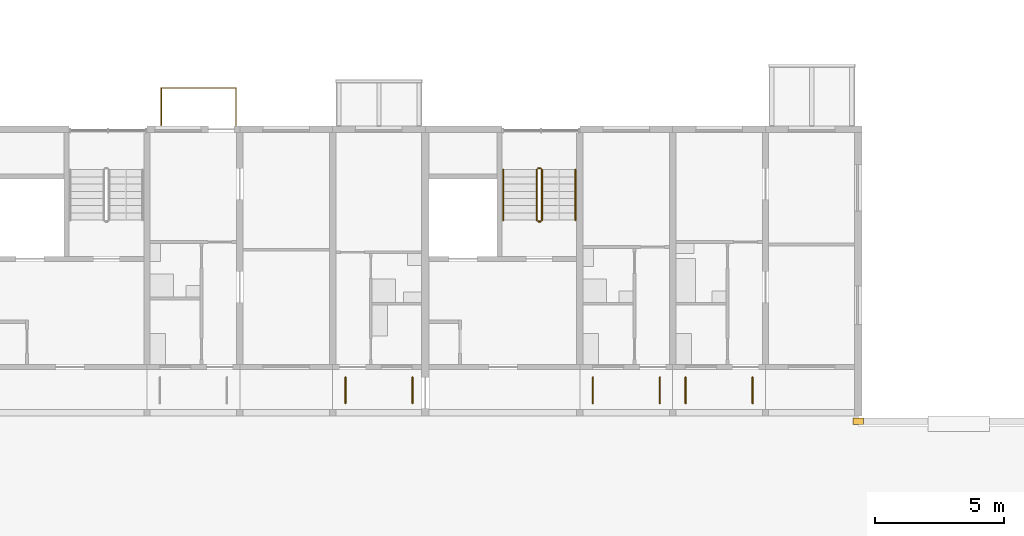
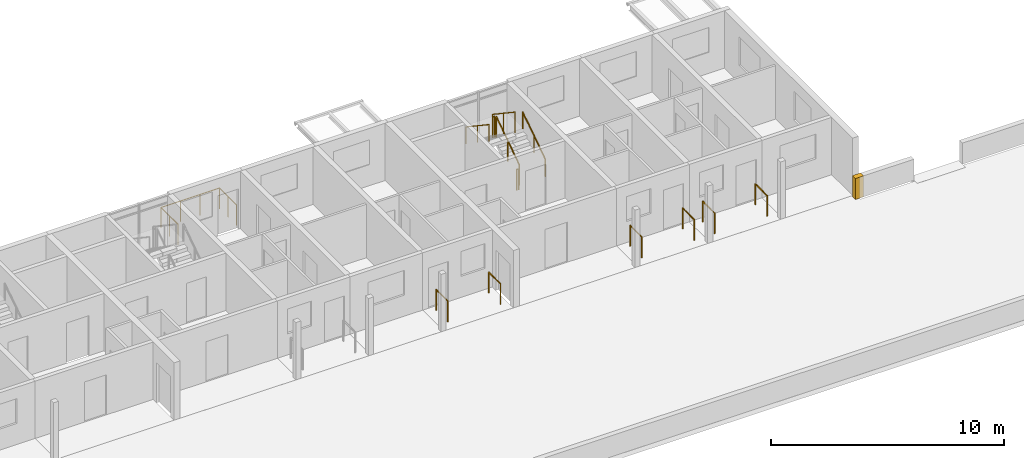
# One storey, part 108 of 115: 13 railings, 1 covering.
"""IFC4 building model written with IfcOpenShell, lengths in metres."""

from ifc_helpers import new_model, si_unit, direction, frame, origin, origin_2d, place, context, subcontext, project, spatial, polyline, circle, outline, extrude, material, layer, layer_set, type_object, element, save


model = new_model("IFC4")

# Units and contexts
model_context = context("Model", 3, precision=1e-05, world=origin(), true_north=direction((0.0, 1.0)))
body_context = subcontext(model_context, "Body", "Model", "MODEL_VIEW")
ifc_project = project(units=[si_unit("LENGTHUNIT", "METRE"), si_unit("AREAUNIT", "SQUARE_METRE"), si_unit("VOLUMEUNIT", "CUBIC_METRE"), si_unit("PLANEANGLEUNIT", "RADIAN"), si_unit("MASSUNIT", "GRAM", prefix="KILO")], contexts=[model_context])

# Site, building, storey
site_placement = place(None, origin())
site = spatial("IfcSite", under=ifc_project, at=site_placement, CompositionType="ELEMENT")
building_placement = place(site_placement, origin())
building = spatial("IfcBuilding", under=site, at=building_placement, Name="Ridgestep Commons", CompositionType="ELEMENT")
storey_placement = place(building_placement, frame((0.0, 0.0, 6.0)))
storey = spatial("IfcBuildingStorey", under=building, at=storey_placement, Name="L02", CompositionType="ELEMENT", Elevation=6.0)

# Covering
ifc_material_1 = material(Name="Precast concrete C40/50", Category="concrete")
ifc_layer = layer(ifc_material_1, 0.25)
ifc_layer_set = layer_set([ifc_layer], Name="Deck end parapet cladding 250")
covering_type = type_object("IfcCoveringType", Name="Deck end parapet cladding 250", PredefinedType="CLADDING", material=ifc_layer_set)
covering_placement = place(storey_placement, origin())
element("IfcCovering", 1, at=covering_placement, inside=storey, type_object=covering_type, Name="Deck end parapet cladding D E", PredefinedType="CLADDING", context=body_context, shape_type="SweptSolid", body=[
    extrude(outline(polyline([(247.39990234375, 11.429931640625), (247.800048828125, 11.429931640625), (247.800048828125, 11.679931640625), (247.39990234375, 11.679931640625), (247.39990234375, 11.429931640625)])), origin(), (0.0, 0.0, 1.0), 1.10009765625),
])

# Railings
ifc_material_2 = material(Name="Structural steel S355JR", Category="steel")
railing_type_1 = type_object("IfcRailingType", Name="Guard 1100", PredefinedType="GUARDRAIL", material=ifc_material_2)
for number, where, name in (
    (2, (227.699951171875, 12.25, 0.0), "Gallery side guard D 02.20W"),
    (3, (230.300048828125, 12.25, 0.0), "Gallery side guard D 02.20E"),
    (4, (237.300048828125, 12.25, 0.0), "Gallery side guard D 02.22W"),
    (5, (239.89990234375, 12.25, 0.0), "Gallery side guard D 02.22E"),
    (6, (240.89990234375, 12.25, 0.0), "Gallery side guard D 02.23W"),
    (7, (243.5, 12.25, 0.0), "Gallery side guard D 02.23E"),
):
    element("IfcRailing", number, at=place(storey_placement, frame(where)), inside=storey, type_object=railing_type_1, Name=name, PredefinedType="GUARDRAIL", context=body_context, shape_type="SweptSolid", body=[
        extrude(circle(Radius=0.02392578125, at=origin_2d()), frame((0.0, 0.0, 1.076171875), z_axis=(0.0, 1.0, 0.0), x_axis=(-1.0, 0.0, 0.0)), (0.0, 0.0, 1.0), 1.0),
        extrude(circle(Radius=0.02099609375, at=origin_2d()), origin(), (0.0, 0.0, 1.0), 1.052001953125),
        extrude(circle(Radius=0.02099609375, at=origin_2d()), frame((0.0, 1.0, 0.0)), (0.0, 0.0, 1.0), 1.052001953125),
    ])
ifc_material_3 = material(Name="Structural steel S355JR", Category="steel")
railing_type_2 = type_object("IfcRailingType", Name="Stair guard 1100", PredefinedType="GUARDRAIL", material=ifc_material_3)
railing_1_placement = place(storey_placement, frame((235.324951171875, 19.35009765625, 0.1875)))
element("IfcRailing", 8, at=railing_1_placement, inside=storey, type_object=railing_type_2, Name="L02 D6C stair guard 1", PredefinedType="GUARDRAIL", context=body_context, shape_type="SweptSolid", body=[
    extrude(circle(Radius=0.02392578125, at=origin_2d()), frame((0.0, 0.0, 1.076171875), z_axis=(0.0, 0.830902050051, 0.556418712142), x_axis=(-1.0, 0.0, 0.0)), (0.0, 0.0, 1.0), 2.35888671875),
    extrude(circle(Radius=0.02099609375, at=origin_2d()), origin(), (0.0, 0.0, 1.0), 1.052001953125),
    extrude(circle(Radius=0.02099609375, at=origin_2d()), frame((0.0, 0.97998046875, 0.65625)), (0.0, 0.0, 1.0), 1.052001953125),
    extrude(circle(Radius=0.02099609375, at=origin_2d()), frame((0.0, 1.9599609375, 1.3125)), (0.0, 0.0, 1.0), 1.052001953125),
])
railing_2_placement = place(storey_placement, frame((235.27490234375, 21.360107421875, 1.5)))
element("IfcRailing", 9, at=railing_2_placement, inside=storey, type_object=railing_type_2, Name="L02 D6C stair guard 2", PredefinedType="GUARDRAIL", context=body_context, shape_type="SweptSolid", body=[
    extrude(circle(Radius=0.02392578125, at=origin_2d()), frame((0.0, 0.0, 1.076171875), z_axis=(-1.0, 0.0, 0.0), x_axis=(0.0, -1.0, 0.0)), (0.0, 0.0, 1.0), 0.099853515625),
    extrude(circle(Radius=0.02099609375, at=origin_2d()), origin(), (0.0, 0.0, 1.0), 1.052001953125),
    extrude(circle(Radius=0.02099609375, at=origin_2d()), frame((-0.099853515625, 0.0, 0.0)), (0.0, 0.0, 1.0), 1.052001953125),
])
railing_3_placement = place(storey_placement, frame((235.125, 21.31005859375, 1.6875)))
element("IfcRailing", 10, at=railing_3_placement, inside=storey, type_object=railing_type_2, Name="L02 D6C stair guard 3", PredefinedType="GUARDRAIL", context=body_context, shape_type="SweptSolid", body=[
    extrude(circle(Radius=0.02392578125, at=origin_2d()), frame((0.0, 0.0, 1.076171875), z_axis=(0.0, -0.830902050051, 0.556418712142), x_axis=(1.0, 0.0, 0.0)), (0.0, 0.0, 1.0), 2.35888671875),
    extrude(circle(Radius=0.02099609375, at=origin_2d()), origin(), (0.0, 0.0, 1.0), 1.052001953125),
    extrude(circle(Radius=0.02099609375, at=origin_2d()), frame((0.0, -0.97998046875, 0.65625)), (0.0, 0.0, 1.0), 1.052001953125),
    extrude(circle(Radius=0.02099609375, at=origin_2d()), frame((0.0, -1.9599609375, 1.3125)), (0.0, 0.0, 1.0), 1.052001953125),
])
railing_4_placement = place(storey_placement, frame((235.27490234375, 19.300048828125, 0.0)))
element("IfcRailing", 11, at=railing_4_placement, inside=storey, type_object=railing_type_2, Name="L02 D6C stair guard 4", PredefinedType="GUARDRAIL", context=body_context, shape_type="SweptSolid", body=[
    extrude(circle(Radius=0.02392578125, at=origin_2d()), frame((0.0, 0.0, 1.076171875), z_axis=(-1.0, 0.0, 0.0), x_axis=(0.0, -1.0, 0.0)), (0.0, 0.0, 1.0), 0.099853515625),
    extrude(circle(Radius=0.02099609375, at=origin_2d()), origin(), (0.0, 0.0, 1.0), 1.052001953125),
    extrude(circle(Radius=0.02099609375, at=origin_2d()), frame((-0.099853515625, 0.0, 0.0)), (0.0, 0.0, 1.0), 1.052001953125),
])
ifc_material_4 = material(Name="Structural steel S355JR", Category="steel")
railing_type_3 = type_object("IfcRailingType", Name="Stair handrail 900", PredefinedType="HANDRAIL", material=ifc_material_4)
railing_5_placement = place(storey_placement, frame((236.625, 19.35009765625, 0.1875)))
element("IfcRailing", 12, at=railing_5_placement, inside=storey, type_object=railing_type_3, Name="L02 D6C stair handrail 1", PredefinedType="HANDRAIL", context=body_context, shape_type="SweptSolid", body=[
    extrude(circle(Radius=0.02392578125, at=origin_2d()), frame((0.0, 0.0, 0.8759765625), z_axis=(0.0, 0.830902050051, 0.556418712142), x_axis=(-1.0, 0.0, 0.0)), (0.0, 0.0, 1.0), 2.35888671875),
    extrude(circle(Radius=0.02099609375, at=origin_2d()), origin(), (0.0, 0.0, 1.0), 0.851806640625),
    extrude(circle(Radius=0.02099609375, at=origin_2d()), frame((0.0, 0.97998046875, 0.65625)), (0.0, 0.0, 1.0), 0.851806640625),
    extrude(circle(Radius=0.02099609375, at=origin_2d()), frame((0.0, 1.9599609375, 1.3125)), (0.0, 0.0, 1.0), 0.851806640625),
])
railing_6_placement = place(storey_placement, frame((233.824951171875, 21.31005859375, 1.6875)))
element("IfcRailing", 13, at=railing_6_placement, inside=storey, type_object=railing_type_3, Name="L02 D6C stair handrail 2", PredefinedType="HANDRAIL", context=body_context, shape_type="SweptSolid", body=[
    extrude(circle(Radius=0.02392578125, at=origin_2d()), frame((0.0, 0.0, 0.8759765625), z_axis=(0.0, -0.830902050051, 0.556418712142), x_axis=(1.0, 0.0, 0.0)), (0.0, 0.0, 1.0), 2.35888671875),
    extrude(circle(Radius=0.02099609375, at=origin_2d()), origin(), (0.0, 0.0, 1.0), 0.851806640625),
    extrude(circle(Radius=0.02099609375, at=origin_2d()), frame((0.0, -0.97998046875, 0.65625)), (0.0, 0.0, 1.0), 0.851806640625),
    extrude(circle(Radius=0.02099609375, at=origin_2d()), frame((0.0, -1.9599609375, 1.3125)), (0.0, 0.0, 1.0), 0.851806640625),
])
ifc_material_5 = material(Name="Weathering steel S355J2W", Category="steel")
railing_type_4 = type_object("IfcRailingType", Name="Tray guard 1100", PredefinedType="GUARDRAIL", material=ifc_material_5)
railing_7_placement = place(storey_placement, frame((220.551025390625, 23.02099609375, 0.0)))
element("IfcRailing", 14, at=railing_7_placement, inside=storey, type_object=railing_type_4, Name="Tray guard D5T3-02", PredefinedType="GUARDRAIL", context=body_context, shape_type="SweptSolid", body=[
    extrude(circle(Radius=0.02392578125, at=origin_2d()), frame((0.0, 0.0, 1.076171875), z_axis=(0.0, 1.0, 0.0), x_axis=(-1.0, 0.0, 0.0)), (0.0, 0.0, 1.0), 1.4580078125),
    extrude(circle(Radius=0.02392578125, at=origin_2d()), frame((0.0, 1.4580078125, 1.076171875), z_axis=(1.0, 0.0, 0.0), x_axis=(0.0, 1.0, 0.0)), (0.0, 0.0, 1.0), 2.89794921875),
    extrude(circle(Radius=0.02392578125, at=origin_2d()), frame((2.89794921875, 1.4580078125, 1.076171875), z_axis=(0.0, -1.0, 0.0), x_axis=(1.0, 0.0, 0.0)), (0.0, 0.0, 1.0), 1.4580078125),
    extrude(circle(Radius=0.02099609375, at=origin_2d()), origin(), (0.0, 0.0, 1.0), 1.052001953125),
    extrude(circle(Radius=0.02099609375, at=origin_2d()), frame((0.0, 0.72900390625, 0.0)), (0.0, 0.0, 1.0), 1.052001953125),
    extrude(circle(Radius=0.02099609375, at=origin_2d()), frame((0.0, 1.4580078125, 0.0)), (0.0, 0.0, 1.0), 1.052001953125),
    extrude(circle(Radius=0.02099609375, at=origin_2d()), frame((0.966064453125, 1.4580078125, 0.0)), (0.0, 0.0, 1.0), 1.052001953125),
    extrude(circle(Radius=0.02099609375, at=origin_2d()), frame((1.931884765625, 1.4580078125, 0.0)), (0.0, 0.0, 1.0), 1.052001953125),
    extrude(circle(Radius=0.02099609375, at=origin_2d()), frame((2.89794921875, 1.4580078125, 0.0)), (0.0, 0.0, 1.0), 1.052001953125),
    extrude(circle(Radius=0.02099609375, at=origin_2d()), frame((2.89794921875, 0.72900390625, 0.0)), (0.0, 0.0, 1.0), 1.052001953125),
    extrude(circle(Radius=0.02099609375, at=origin_2d()), frame((2.89794921875, 0.0, 0.0)), (0.0, 0.0, 1.0), 1.052001953125),
])

save(model, "model.ifc")
